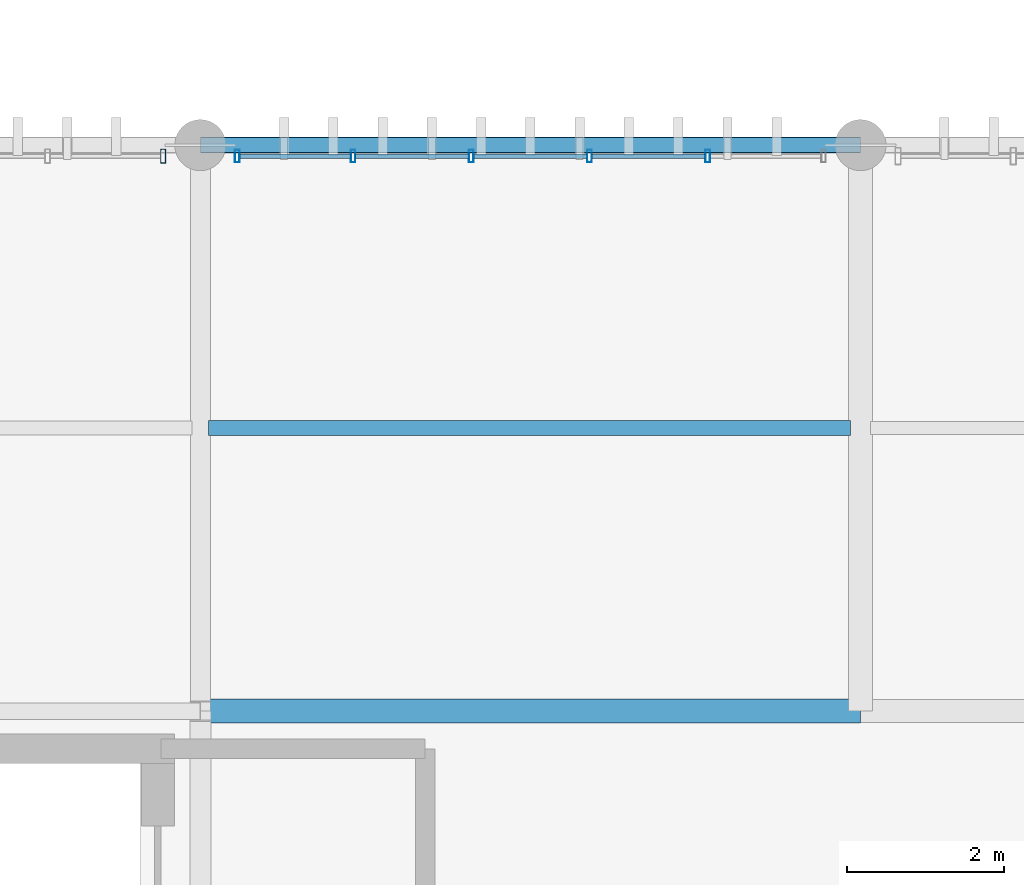
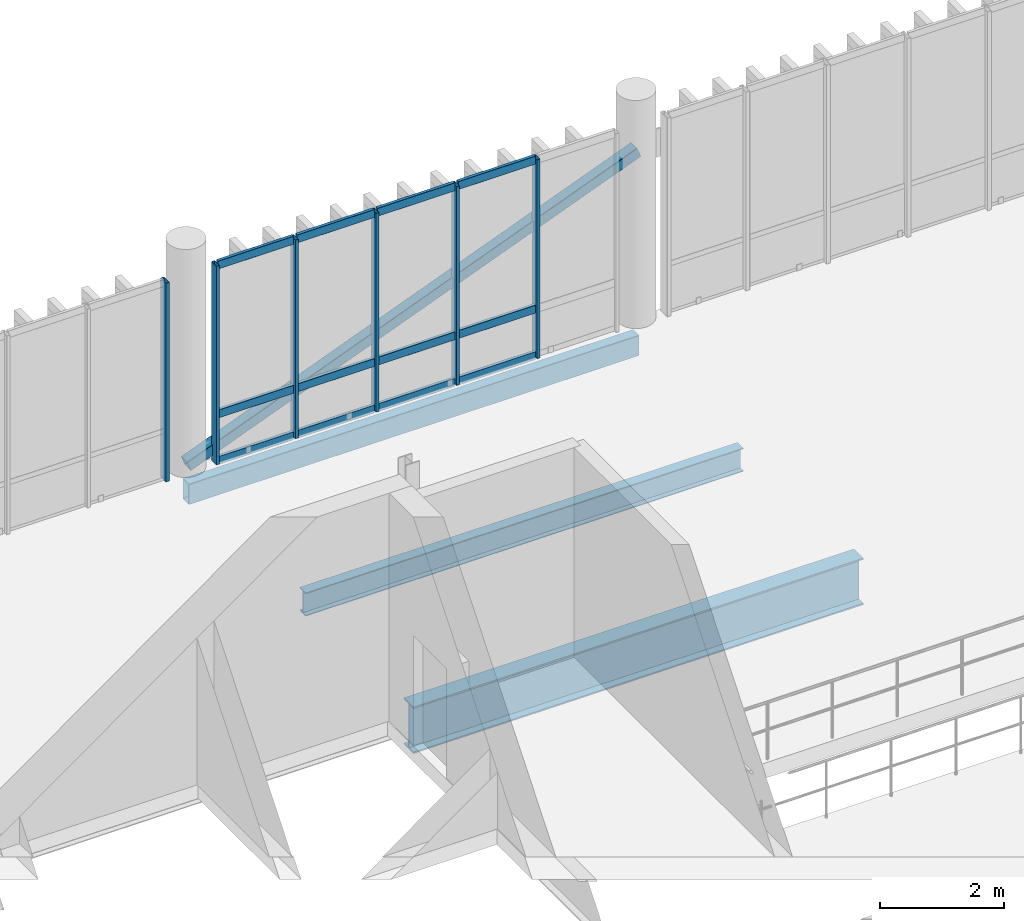
# One storey, part 22 of 66: 19 members, 3 beams, 2 elements without a shape of their own.
"""IFC4 building model written with IfcOpenShell, lengths in metres."""

from ifc_helpers import new_model, si_unit, direction, frame, origin_with_axes, origin_2d_with_axis, place, context, subcontext, project, spatial, hollow_rectangle, i_section, extrude, material, material_profile, profile_set, type_object, element, aggregate, save


model = new_model("IFC4")

# Units and contexts
model_context = context("Model", 3, precision=1e-05, world=origin_with_axes(), true_north=direction((0.0, 1.0)))
body_context = subcontext(model_context, "Body", "Model", "MODEL_VIEW")
ifc_project = project(units=[si_unit("LENGTHUNIT", "METRE"), si_unit("AREAUNIT", "SQUARE_METRE"), si_unit("VOLUMEUNIT", "CUBIC_METRE"), si_unit("PLANEANGLEUNIT", "RADIAN"), si_unit("MASSUNIT", "GRAM", prefix="KILO"), si_unit("THERMODYNAMICTEMPERATUREUNIT", "KELVIN")], contexts=[model_context])

# Site, building, storey
site_placement = place(None, origin_with_axes())
site = spatial("IfcSite", under=ifc_project, at=site_placement, CompositionType="ELEMENT")
building_placement = place(site_placement, origin_with_axes())
building = spatial("IfcBuilding", under=site, at=building_placement, Name="Montbau Bow Law Courts", CompositionType="ELEMENT")
storey_placement = place(building_placement, frame((0.0, 0.0, 34.5), z_axis=(0.0, 0.0, 1.0), x_axis=(1.0, 0.0, 0.0)))
storey = spatial("IfcBuildingStorey", under=building, at=storey_placement, Name="L07", CompositionType="ELEMENT", Elevation=34.5)

# Beams
ifc_material_1 = material(Name="Steel CSA G40.21 Grade 350W (350 MPa)", Category="steel")
ifc_material_profile_1 = material_profile(ifc_material_1, i_section(OverallWidth=0.306, OverallDepth=0.919, WebThickness=0.0173, FlangeThickness=0.0279, at=origin_2d_with_axis()), Name="W920X253", Category="Main", Priority=0)
ifc_profile_set_1 = profile_set([ifc_material_profile_1], Name="Steel CSA G40.21 Grade 350W (350 MPa)")
beam_type_1 = type_object("IfcBeamType", Name="B-FLR-01", PredefinedType="BEAM", material=ifc_profile_set_1)
beam_1_placement = place(None, frame((63.6, 54.6, 33.741), z_axis=(1.0, 0.0, 0.0), x_axis=(0.0, 1.0, 0.0)))
element("IfcBeam", 1, at=beam_1_placement, inside=storey, type_object=beam_type_1, Name="BM-L07-S1031:bm2_1034", PredefinedType="BEAM", context=body_context, shape_type="SweptSolid", body=[
    extrude(i_section(OverallWidth=0.306, OverallDepth=0.919, WebThickness=0.0173, FlangeThickness=0.0279, at=origin_2d_with_axis()), origin_with_axes(), (0.0, 0.0, 1.0), 8.4),
])
ifc_material_profile_2 = material_profile(ifc_material_1, i_section(OverallWidth=0.191, OverallDepth=0.46, WebThickness=0.0099, FlangeThickness=0.016, at=origin_2d_with_axis()), Name="W460X82", Category="Main", Priority=0)
ifc_profile_set_2 = profile_set([ifc_material_profile_2], Name="Steel CSA G40.21 Grade 350W (350 MPa)")
beam_type_2 = type_object("IfcBeamType", Name="B-JST-01", PredefinedType="JOIST", material=ifc_profile_set_2)
beam_2_placement = place(None, frame((63.703, 58.2, 33.97), z_axis=(1.0, 0.0, 0.0), x_axis=(0.0, 1.0, 0.0)))
element("IfcBeam", 2, at=beam_2_placement, inside=storey, type_object=beam_type_2, Name="JST-L07-S0532:jst2_0532", PredefinedType="JOIST", context=body_context, shape_type="SweptSolid", body=[
    extrude(i_section(OverallWidth=0.191, OverallDepth=0.46, WebThickness=0.0099, FlangeThickness=0.016, at=origin_2d_with_axis()), origin_with_axes(), (0.0, 0.0, 1.0), 8.168),
])
ifc_material_2 = material(Name="Steel CSA G40.21 Grade 350WT (350 MPa)", Category="steel")
ifc_material_profile_3 = material_profile(ifc_material_2, hollow_rectangle(XDim=0.203, YDim=0.406, WallThickness=0.0127, InnerFilletRadius=0.0254, OuterFilletRadius=0.0127, at=origin_2d_with_axis()), Name="HSS406X203X13", Category="Main", Priority=0)
ifc_profile_set_3 = profile_set([ifc_material_profile_3], Name="Steel CSA G40.21 Grade 350WT (350 MPa)")
beam_type_3 = type_object("IfcBeamType", Name="B-SPN-01", PredefinedType="SPANDREL", material=ifc_profile_set_3)
beam_3_placement = place(None, frame((63.6, 61.8, 33.997), z_axis=(1.0, 0.0, 0.0), x_axis=(0.0, 1.0, 0.0)))
element("IfcBeam", 3, at=beam_3_placement, inside=storey, type_object=beam_type_3, Name="SPN-L07-S1037:bm2_1040", PredefinedType="SPANDREL", context=body_context, shape_type="SweptSolid", body=[
    extrude(hollow_rectangle(XDim=0.203, YDim=0.406, WallThickness=0.0127, InnerFilletRadius=0.0254, OuterFilletRadius=0.0127, at=origin_2d_with_axis()), origin_with_axes(), (0.0, 0.0, 1.0), 8.4),
])

# Member
ifc_material_profile_4 = material_profile(ifc_material_1, hollow_rectangle(XDim=0.203, YDim=0.203, WallThickness=0.0111, InnerFilletRadius=0.0222, OuterFilletRadius=0.0111, at=origin_2d_with_axis()), Name="HSS203X203X11", Category="Main", Priority=0)
ifc_profile_set_4 = profile_set([ifc_material_profile_4], Name="Steel CSA G40.21 Grade 350W (350 MPa)")
member_type_1 = type_object("IfcMemberType", Name="M-BRC-02", PredefinedType="BRACE", material=ifc_profile_set_4)
member_1_placement = place(None, frame((63.6, 61.8, 34.55), z_axis=(0.932254384, 0.0, 0.361803487), x_axis=(0.0, 1.0, 0.0)))
element("IfcMember", 4, at=member_1_placement, inside=storey, type_object=member_type_1, Name="Diagonal brace CBF-L07-059A", PredefinedType="BRACE", context=body_context, shape_type="SweptSolid", body=[
    extrude(hollow_rectangle(XDim=0.203, YDim=0.203, WallThickness=0.0111, InnerFilletRadius=0.0222, OuterFilletRadius=0.0111, at=origin_2d_with_axis()), origin_with_axes(), (0.0, 0.0, 1.0), 9.010416),
])

# Curtain wall, member
ifc_material_3 = material(Name="Thermally Broken Extruded Aluminium AA 6063-T6", Category="aluminium")
curtain_wall_type = type_object("IfcCurtainWallType", Name="CW-CRM-02", PredefinedType="NOTDEFINED", material=ifc_material_3)
curtain_wall_1_placement = place(None, frame((55.64, 61.66, 34.5), z_axis=(0.0, 0.0, 1.0), x_axis=(1.0, 0.0, 0.0)))
curtain_wall_1 = element("IfcCurtainWall", 5, at=curtain_wall_1_placement, inside=storey, type_object=curtain_wall_type, Name="CW-L07-247:cw_0247", PredefinedType="NOTDEFINED")
ifc_material_profile_5 = material_profile(ifc_material_3, hollow_rectangle(XDim=0.065, YDim=0.18, WallThickness=0.005, InnerFilletRadius=0.01, OuterFilletRadius=0.005, at=origin_2d_with_axis()), Name="CWM-180X65", Category="Main", Priority=0)
ifc_profile_set_5 = profile_set([ifc_material_profile_5], Name="Thermally Broken Extruded Aluminium AA 6063-T6")
member_type_2 = type_object("IfcMemberType", Name="M-MUL-02", PredefinedType="MULLION", material=ifc_profile_set_5)
member_2_placement = place(None, frame((63.127, 61.66, 34.5), z_axis=(0.0, 0.0, 1.0), x_axis=(1.0, 0.0, 0.0)))
member_2 = element("IfcMember", 6, at=member_2_placement, type_object=member_type_2, Name="CW-L07-247-M06:cw_0247_M06", PredefinedType="MULLION", context=body_context, shape_type="SweptSolid", body=[
    extrude(hollow_rectangle(XDim=0.065, YDim=0.18, WallThickness=0.005, InnerFilletRadius=0.01, OuterFilletRadius=0.005, at=origin_2d_with_axis()), origin_with_axes(), (0.0, 0.0, 1.0), 3.92),
])
aggregate(curtain_wall_1, [member_2])

# Curtain wall, members
curtain_wall_2_placement = place(None, frame((64.04, 61.66, 34.5), z_axis=(0.0, 0.0, 1.0), x_axis=(1.0, 0.0, 0.0)))
curtain_wall_2 = element("IfcCurtainWall", 7, at=curtain_wall_2_placement, inside=storey, type_object=curtain_wall_type, Name="CW-L07-248:cw_0248", PredefinedType="NOTDEFINED")
ifc_material_profile_6 = material_profile(ifc_material_3, hollow_rectangle(XDim=0.06, YDim=0.16, WallThickness=0.004, InnerFilletRadius=0.008, OuterFilletRadius=0.004, at=origin_2d_with_axis()), Name="CWM-160X60", Category="Main", Priority=0)
ifc_profile_set_6 = profile_set([ifc_material_profile_6], Name="Thermally Broken Extruded Aluminium AA 6063-T6")
member_type_3 = type_object("IfcMemberType", Name="M-MUL-03", PredefinedType="MULLION", material=ifc_profile_set_6)
member_3_placement = place(None, frame((64.07, 61.66, 34.5), z_axis=(0.0, 0.0, 1.0), x_axis=(1.0, 0.0, 0.0)))
member_3 = element("IfcMember", 8, at=member_3_placement, type_object=member_type_3, Name="CW-L07-248-M01:cw_0248_M01", PredefinedType="MULLION", context=body_context, shape_type="SweptSolid", body=[
    extrude(hollow_rectangle(XDim=0.06, YDim=0.16, WallThickness=0.004, InnerFilletRadius=0.008, OuterFilletRadius=0.004, at=origin_2d_with_axis()), origin_with_axes(), (0.0, 0.0, 1.0), 3.92),
])
member_4_placement = place(None, frame((65.544, 61.66, 34.5), z_axis=(0.0, 0.0, 1.0), x_axis=(1.0, 0.0, 0.0)))
member_4 = element("IfcMember", 9, at=member_4_placement, type_object=member_type_3, Name="CW-L07-248-M02:cw_0248_M02", PredefinedType="MULLION", context=body_context, shape_type="SweptSolid", body=[
    extrude(hollow_rectangle(XDim=0.06, YDim=0.16, WallThickness=0.004, InnerFilletRadius=0.008, OuterFilletRadius=0.004, at=origin_2d_with_axis()), origin_with_axes(), (0.0, 0.0, 1.0), 3.92),
])
member_5_placement = place(None, frame((67.048, 61.66, 34.5), z_axis=(0.0, 0.0, 1.0), x_axis=(1.0, 0.0, 0.0)))
member_5 = element("IfcMember", 10, at=member_5_placement, type_object=member_type_3, Name="CW-L07-248-M03:cw_0248_M03", PredefinedType="MULLION", context=body_context, shape_type="SweptSolid", body=[
    extrude(hollow_rectangle(XDim=0.06, YDim=0.16, WallThickness=0.004, InnerFilletRadius=0.008, OuterFilletRadius=0.004, at=origin_2d_with_axis()), origin_with_axes(), (0.0, 0.0, 1.0), 3.92),
])
member_6_placement = place(None, frame((68.552, 61.66, 34.5), z_axis=(0.0, 0.0, 1.0), x_axis=(1.0, 0.0, 0.0)))
member_6 = element("IfcMember", 11, at=member_6_placement, type_object=member_type_3, Name="CW-L07-248-M04:cw_0248_M04", PredefinedType="MULLION", context=body_context, shape_type="SweptSolid", body=[
    extrude(hollow_rectangle(XDim=0.06, YDim=0.16, WallThickness=0.004, InnerFilletRadius=0.008, OuterFilletRadius=0.004, at=origin_2d_with_axis()), origin_with_axes(), (0.0, 0.0, 1.0), 3.92),
])
member_7_placement = place(None, frame((70.056, 61.66, 34.5), z_axis=(0.0, 0.0, 1.0), x_axis=(1.0, 0.0, 0.0)))
member_7 = element("IfcMember", 12, at=member_7_placement, type_object=member_type_3, Name="CW-L07-248-M05:cw_0248_M05", PredefinedType="MULLION", context=body_context, shape_type="SweptSolid", body=[
    extrude(hollow_rectangle(XDim=0.06, YDim=0.16, WallThickness=0.004, InnerFilletRadius=0.008, OuterFilletRadius=0.004, at=origin_2d_with_axis()), origin_with_axes(), (0.0, 0.0, 1.0), 3.92),
])
ifc_material_profile_7 = material_profile(ifc_material_3, hollow_rectangle(XDim=0.06, YDim=0.16, WallThickness=0.004, InnerFilletRadius=0.008, OuterFilletRadius=0.004, at=origin_2d_with_axis()), Name="CWT-160X60", Category="Main", Priority=0)
ifc_profile_set_7 = profile_set([ifc_material_profile_7], Name="Thermally Broken Extruded Aluminium AA 6063-T6")
member_type_4 = type_object("IfcMemberType", Name="M-TRN-01", PredefinedType="USERDEFINED", material=ifc_profile_set_7)
member_8_placement = place(None, frame((64.102, 61.66, 34.53), z_axis=(1.0, 0.0, 0.0), x_axis=(0.0, 1.0, 0.0)))
member_8 = element("IfcMember", 13, at=member_8_placement, type_object=member_type_4, Name="CW-L07-248-T01-1:cw_0248_T01_1", ObjectType="TRANSOM", PredefinedType="USERDEFINED", context=body_context, shape_type="SweptSolid", body=[
    extrude(hollow_rectangle(XDim=0.06, YDim=0.16, WallThickness=0.004, InnerFilletRadius=0.008, OuterFilletRadius=0.004, at=origin_2d_with_axis()), origin_with_axes(), (0.0, 0.0, 1.0), 1.41),
])
member_9_placement = place(None, frame((64.102, 61.66, 35.45), z_axis=(1.0, 0.0, 0.0), x_axis=(0.0, 1.0, 0.0)))
member_9 = element("IfcMember", 14, at=member_9_placement, type_object=member_type_4, Name="CW-L07-248-T01-2:cw_0248_T01_2", ObjectType="TRANSOM", PredefinedType="USERDEFINED", context=body_context, shape_type="SweptSolid", body=[
    extrude(hollow_rectangle(XDim=0.06, YDim=0.16, WallThickness=0.004, InnerFilletRadius=0.008, OuterFilletRadius=0.004, at=origin_2d_with_axis()), origin_with_axes(), (0.0, 0.0, 1.0), 1.41),
])
member_10_placement = place(None, frame((64.102, 61.66, 38.39), z_axis=(1.0, 0.0, 0.0), x_axis=(0.0, 1.0, 0.0)))
member_10 = element("IfcMember", 15, at=member_10_placement, type_object=member_type_4, Name="CW-L07-248-T01-3:cw_0248_T01_3", ObjectType="TRANSOM", PredefinedType="USERDEFINED", context=body_context, shape_type="SweptSolid", body=[
    extrude(hollow_rectangle(XDim=0.06, YDim=0.16, WallThickness=0.004, InnerFilletRadius=0.008, OuterFilletRadius=0.004, at=origin_2d_with_axis()), origin_with_axes(), (0.0, 0.0, 1.0), 1.41),
])
member_11_placement = place(None, frame((65.576, 61.66, 34.53), z_axis=(1.0, 0.0, 0.0), x_axis=(0.0, 1.0, 0.0)))
member_11 = element("IfcMember", 16, at=member_11_placement, type_object=member_type_4, Name="CW-L07-248-T02-1:cw_0248_T02_1", ObjectType="TRANSOM", PredefinedType="USERDEFINED", context=body_context, shape_type="SweptSolid", body=[
    extrude(hollow_rectangle(XDim=0.06, YDim=0.16, WallThickness=0.004, InnerFilletRadius=0.008, OuterFilletRadius=0.004, at=origin_2d_with_axis()), origin_with_axes(), (0.0, 0.0, 1.0), 1.44),
])
member_12_placement = place(None, frame((65.576, 61.66, 35.45), z_axis=(1.0, 0.0, 0.0), x_axis=(0.0, 1.0, 0.0)))
member_12 = element("IfcMember", 17, at=member_12_placement, type_object=member_type_4, Name="CW-L07-248-T02-2:cw_0248_T02_2", ObjectType="TRANSOM", PredefinedType="USERDEFINED", context=body_context, shape_type="SweptSolid", body=[
    extrude(hollow_rectangle(XDim=0.06, YDim=0.16, WallThickness=0.004, InnerFilletRadius=0.008, OuterFilletRadius=0.004, at=origin_2d_with_axis()), origin_with_axes(), (0.0, 0.0, 1.0), 1.44),
])
member_13_placement = place(None, frame((65.576, 61.66, 38.39), z_axis=(1.0, 0.0, 0.0), x_axis=(0.0, 1.0, 0.0)))
member_13 = element("IfcMember", 18, at=member_13_placement, type_object=member_type_4, Name="CW-L07-248-T02-3:cw_0248_T02_3", ObjectType="TRANSOM", PredefinedType="USERDEFINED", context=body_context, shape_type="SweptSolid", body=[
    extrude(hollow_rectangle(XDim=0.06, YDim=0.16, WallThickness=0.004, InnerFilletRadius=0.008, OuterFilletRadius=0.004, at=origin_2d_with_axis()), origin_with_axes(), (0.0, 0.0, 1.0), 1.44),
])
member_14_placement = place(None, frame((67.08, 61.66, 34.53), z_axis=(1.0, 0.0, 0.0), x_axis=(0.0, 1.0, 0.0)))
member_14 = element("IfcMember", 19, at=member_14_placement, type_object=member_type_4, Name="CW-L07-248-T03-1:cw_0248_T03_1", ObjectType="TRANSOM", PredefinedType="USERDEFINED", context=body_context, shape_type="SweptSolid", body=[
    extrude(hollow_rectangle(XDim=0.06, YDim=0.16, WallThickness=0.004, InnerFilletRadius=0.008, OuterFilletRadius=0.004, at=origin_2d_with_axis()), origin_with_axes(), (0.0, 0.0, 1.0), 1.44),
])
member_15_placement = place(None, frame((67.08, 61.66, 35.45), z_axis=(1.0, 0.0, 0.0), x_axis=(0.0, 1.0, 0.0)))
member_15 = element("IfcMember", 20, at=member_15_placement, type_object=member_type_4, Name="CW-L07-248-T03-2:cw_0248_T03_2", ObjectType="TRANSOM", PredefinedType="USERDEFINED", context=body_context, shape_type="SweptSolid", body=[
    extrude(hollow_rectangle(XDim=0.06, YDim=0.16, WallThickness=0.004, InnerFilletRadius=0.008, OuterFilletRadius=0.004, at=origin_2d_with_axis()), origin_with_axes(), (0.0, 0.0, 1.0), 1.44),
])
member_16_placement = place(None, frame((67.08, 61.66, 38.39), z_axis=(1.0, 0.0, 0.0), x_axis=(0.0, 1.0, 0.0)))
member_16 = element("IfcMember", 21, at=member_16_placement, type_object=member_type_4, Name="CW-L07-248-T03-3:cw_0248_T03_3", ObjectType="TRANSOM", PredefinedType="USERDEFINED", context=body_context, shape_type="SweptSolid", body=[
    extrude(hollow_rectangle(XDim=0.06, YDim=0.16, WallThickness=0.004, InnerFilletRadius=0.008, OuterFilletRadius=0.004, at=origin_2d_with_axis()), origin_with_axes(), (0.0, 0.0, 1.0), 1.44),
])
member_17_placement = place(None, frame((68.584, 61.66, 34.53), z_axis=(1.0, 0.0, 0.0), x_axis=(0.0, 1.0, 0.0)))
member_17 = element("IfcMember", 22, at=member_17_placement, type_object=member_type_4, Name="CW-L07-248-T04-1:cw_0248_T04_1", ObjectType="TRANSOM", PredefinedType="USERDEFINED", context=body_context, shape_type="SweptSolid", body=[
    extrude(hollow_rectangle(XDim=0.06, YDim=0.16, WallThickness=0.004, InnerFilletRadius=0.008, OuterFilletRadius=0.004, at=origin_2d_with_axis()), origin_with_axes(), (0.0, 0.0, 1.0), 1.44),
])
member_18_placement = place(None, frame((68.584, 61.66, 35.45), z_axis=(1.0, 0.0, 0.0), x_axis=(0.0, 1.0, 0.0)))
member_18 = element("IfcMember", 23, at=member_18_placement, type_object=member_type_4, Name="CW-L07-248-T04-2:cw_0248_T04_2", ObjectType="TRANSOM", PredefinedType="USERDEFINED", context=body_context, shape_type="SweptSolid", body=[
    extrude(hollow_rectangle(XDim=0.06, YDim=0.16, WallThickness=0.004, InnerFilletRadius=0.008, OuterFilletRadius=0.004, at=origin_2d_with_axis()), origin_with_axes(), (0.0, 0.0, 1.0), 1.44),
])
member_19_placement = place(None, frame((68.584, 61.66, 38.39), z_axis=(1.0, 0.0, 0.0), x_axis=(0.0, 1.0, 0.0)))
member_19 = element("IfcMember", 24, at=member_19_placement, type_object=member_type_4, Name="CW-L07-248-T04-3:cw_0248_T04_3", ObjectType="TRANSOM", PredefinedType="USERDEFINED", context=body_context, shape_type="SweptSolid", body=[
    extrude(hollow_rectangle(XDim=0.06, YDim=0.16, WallThickness=0.004, InnerFilletRadius=0.008, OuterFilletRadius=0.004, at=origin_2d_with_axis()), origin_with_axes(), (0.0, 0.0, 1.0), 1.44),
])
aggregate(curtain_wall_2, [member_3, member_4, member_5, member_6, member_7, member_8, member_9, member_10, member_11, member_12, member_13, member_14, member_15, member_16, member_17, member_18, member_19])

save(model, "model.ifc")
